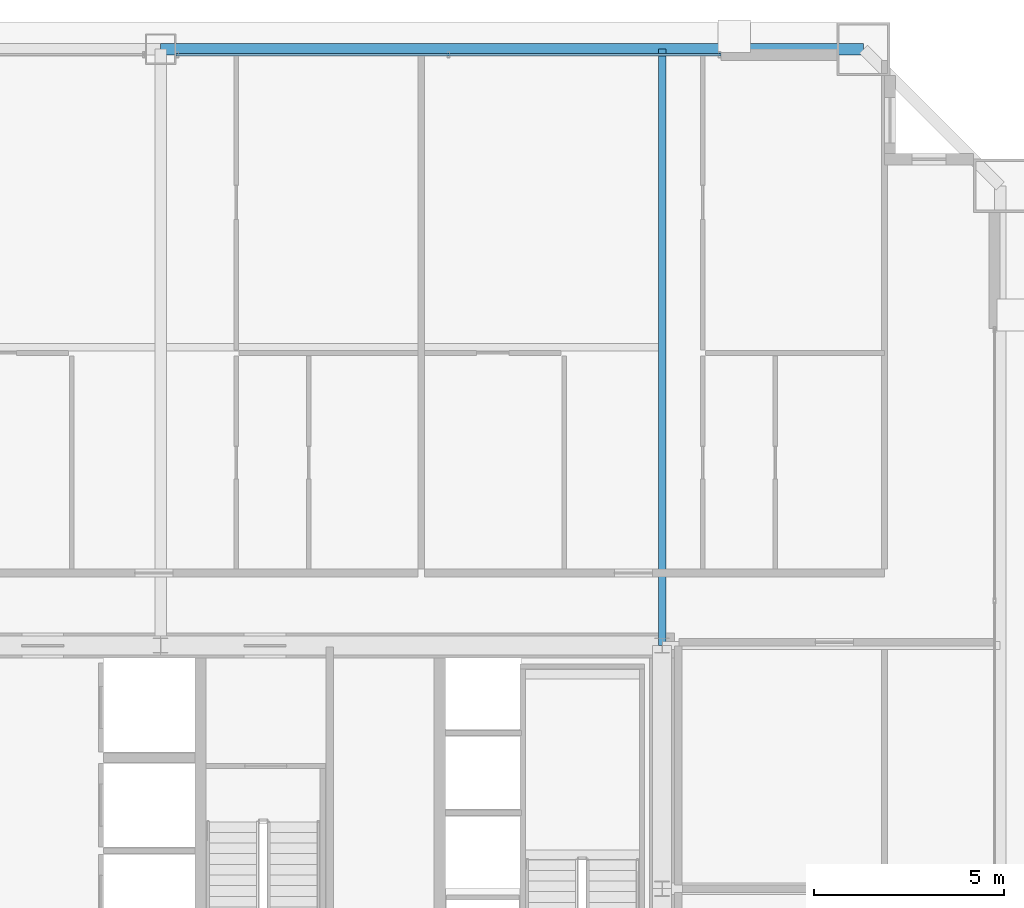
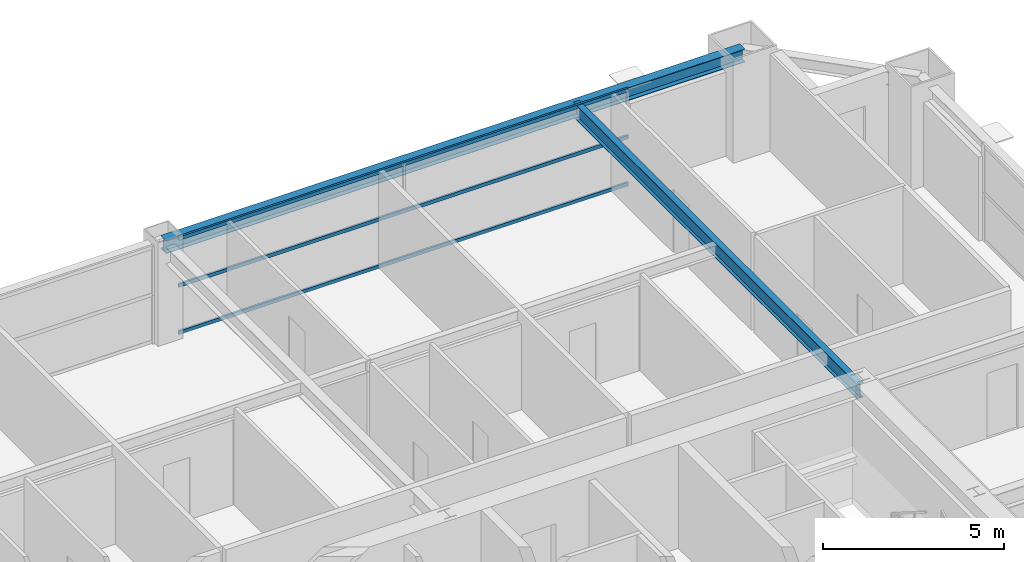
# One storey, part 30 of 38: 3 members, 2 beams, 1 element without a shape of its own.
"""IFC4 building model written with IfcOpenShell, lengths in metres."""

from ifc_helpers import new_model, si_unit, direction, frame, origin, origin_2d, place, context, subcontext, project, spatial, hollow_rectangle, i_section, extrude, source, transform, mapped, material, layer, layer_set, material_profile, profile_set, type_object, element, aggregate, save


model = new_model("IFC4")

# Units and contexts
model_context = context("Model", 3, precision=1e-05, world=origin(), true_north=direction((0.0, 1.0)))
body_context = subcontext(model_context, "Body", "Model", "MODEL_VIEW")
ifc_project = project(units=[si_unit("LENGTHUNIT", "METRE"), si_unit("AREAUNIT", "SQUARE_METRE"), si_unit("VOLUMEUNIT", "CUBIC_METRE"), si_unit("PLANEANGLEUNIT", "RADIAN"), si_unit("MASSUNIT", "GRAM", prefix="KILO"), si_unit("THERMODYNAMICTEMPERATUREUNIT", "KELVIN"), si_unit("POWERUNIT", "WATT")], contexts=[model_context])

# Site, building, storey
site_placement = place(None, origin())
site = spatial("IfcSite", under=ifc_project, at=site_placement, CompositionType="ELEMENT")
building_placement = place(site_placement, origin())
building = spatial("IfcBuilding", under=site, at=building_placement, Name="Yuzanri Waterfront Tower", CompositionType="ELEMENT")
storey_placement = place(building_placement, frame((0.0, 0.0, 202.0)))
storey = spatial("IfcBuildingStorey", under=building, at=storey_placement, Name="L53", CompositionType="ELEMENT", Elevation=202.0)

# Beams
ifc_material_1 = material(Name="Steel Q355B", Category="steel")
ifc_material_profile_1 = material_profile(ifc_material_1, i_section(OverallWidth=0.300048828125, OverallDepth=0.43994140625, WebThickness=0.010986328125, FlangeThickness=0.01806640625, at=origin_2d()), Name="HM 440x300x11x18")
ifc_profile_set_1 = profile_set([ifc_material_profile_1], Name="Steel Q355B")
beam_type_1 = type_object("IfcBeamType", Name="Perimeter Spandrel Q355B HM 440x300", PredefinedType="SPANDREL", material=ifc_profile_set_1)
shared_shape_1 = source(origin(), body_context, "Body", "SweptSolid", [
    extrude(i_section(OverallWidth=0.300048828125, OverallDepth=0.43994140625, WebThickness=0.010986328125, FlangeThickness=0.01806640625, at=origin_2d()), origin(), (0.0, 0.0, 1.0), 18.5),
])
beam_1_placement = place(storey_placement, frame((55.5, 47.89990234375, 3.06005859375), z_axis=(-1.0, 0.0, 0.0), x_axis=(0.0, -1.0, 0.0)))
element("IfcBeam", 1, at=beam_1_placement, inside=storey, type_object=beam_type_1, Name="L53 Perimeter Spandrel N3-N2", PredefinedType="SPANDREL", context=body_context, shape_type="MappedRepresentation", body=[
    mapped(shared_shape_1, transform((0.0, 0.0, 0.0), scale=1.0)),
])
ifc_material_2 = material(Name="Steel Q355B", Category="steel")
ifc_material_profile_2 = material_profile(ifc_material_2, i_section(OverallWidth=0.199951171875, OverallDepth=0.5, WebThickness=0.010009765625, FlangeThickness=0.01611328125, at=origin_2d()), Name="HN 500x200x10x16")
ifc_profile_set_2 = profile_set([ifc_material_profile_2], Name="Steel Q355B")
beam_type_2 = type_object("IfcBeamType", Name="Secondary Floor Beam Q355B HN 500x200", PredefinedType="BEAM", material=ifc_profile_set_2)
shared_shape_2 = source(origin(), body_context, "Body", "SweptSolid", [
    extrude(i_section(OverallWidth=0.199951171875, OverallDepth=0.5, WebThickness=0.010009765625, FlangeThickness=0.01611328125, at=origin_2d()), origin(), (0.0, 0.0, 1.0), 15.699951171875),
])
beam_2_placement = place(storey_placement, frame((50.199951171875, 32.199951171875, 3.030029296875), z_axis=(0.0, 1.0, 0.0), x_axis=(-1.0, 0.0, 0.0)))
element("IfcBeam", 2, at=beam_2_placement, inside=storey, type_object=beam_type_2, Name="L53 North-East Core Line Beam", PredefinedType="BEAM", context=body_context, shape_type="MappedRepresentation", body=[
    mapped(shared_shape_2, transform((0.0, 0.0, 0.0), scale=1.0)),
])

# Curtain wall, members
ifc_material_3 = material(Name="Anodized Architectural Bronze", Category="metal")
ifc_layer = layer(ifc_material_3, 0.159912109375)
ifc_layer_set = layer_set([ifc_layer], Name="Anodized Architectural Bronze")
curtain_wall_type = type_object("IfcCurtainWallType", Name="Anodized Bronze Mid-Rise Residential Acoustic Unitized Curtain Wall 7200", PredefinedType="NOTDEFINED", material=ifc_layer_set)
curtain_wall_placement = place(storey_placement, origin())
curtain_wall = element("IfcCurtainWall", 3, at=curtain_wall_placement, inside=storey, type_object=curtain_wall_type, Name="L53 Curtain Wall CW-L53-NR", PredefinedType="NOTDEFINED")
ifc_material_4 = material(Name="Anodized Architectural Bronze", Category="metal")
ifc_material_profile_3 = material_profile(ifc_material_4, hollow_rectangle(XDim=0.06494140625, YDim=0.1201171875, WallThickness=0.00341796875, at=origin_2d()), Name="CWT 65x120")
ifc_profile_set_3 = profile_set([ifc_material_profile_3], Name="Anodized Architectural Bronze")
member_type = type_object("IfcMemberType", Name="Anodized Bronze Secondary Curtain-Wall Transom 65x120", PredefinedType="USERDEFINED", material=ifc_profile_set_3)
shared_shape_3 = source(origin(), body_context, "Body", "SweptSolid", [
    extrude(hollow_rectangle(XDim=0.06494140625, YDim=0.1201171875, WallThickness=0.00341796875, at=origin_2d()), origin(), (0.0, 0.0, 1.0), 14.35009765625),
])
member_1_placement = place(storey_placement, frame((37.39990234375, 47.75, 0.050048828125), z_axis=(1.0, 0.0, 0.0), x_axis=(0.0, 1.0, 0.0)))
member_1 = element("IfcMember", 4, at=member_1_placement, type_object=member_type, Name="CW-L53-NR Transom 1", ObjectType="TRANSOM", PredefinedType="USERDEFINED", context=body_context, shape_type="MappedRepresentation", body=[
    mapped(shared_shape_3, transform((0.0, 0.0, 0.0), scale=1.0)),
])
member_2_placement = place(storey_placement, frame((37.39990234375, 47.75, 1.639892578125), z_axis=(1.0, 0.0, 0.0), x_axis=(0.0, 1.0, 0.0)))
member_2 = element("IfcMember", 5, at=member_2_placement, type_object=member_type, Name="CW-L53-NR Transom 2", ObjectType="TRANSOM", PredefinedType="USERDEFINED", context=body_context, shape_type="MappedRepresentation", body=[
    mapped(shared_shape_3, transform((0.0, 0.0, 0.0), scale=1.0)),
])
member_3_placement = place(storey_placement, frame((37.39990234375, 47.75, 3.22998046875), z_axis=(1.0, 0.0, 0.0), x_axis=(0.0, 1.0, 0.0)))
member_3 = element("IfcMember", 6, at=member_3_placement, type_object=member_type, Name="CW-L53-NR Transom 3", ObjectType="TRANSOM", PredefinedType="USERDEFINED", context=body_context, shape_type="MappedRepresentation", body=[
    mapped(shared_shape_3, transform((0.0, 0.0, 0.0), scale=1.0)),
])
aggregate(curtain_wall, [member_1, member_2, member_3])

save(model, "model.ifc")
